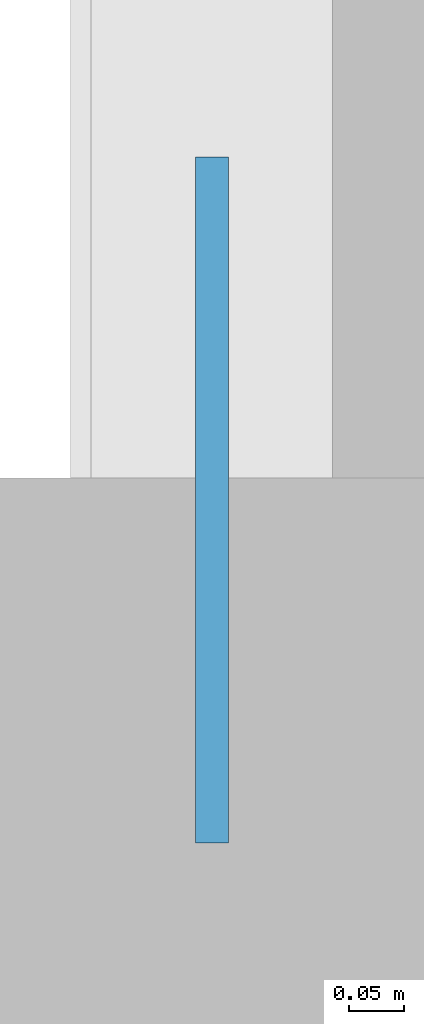
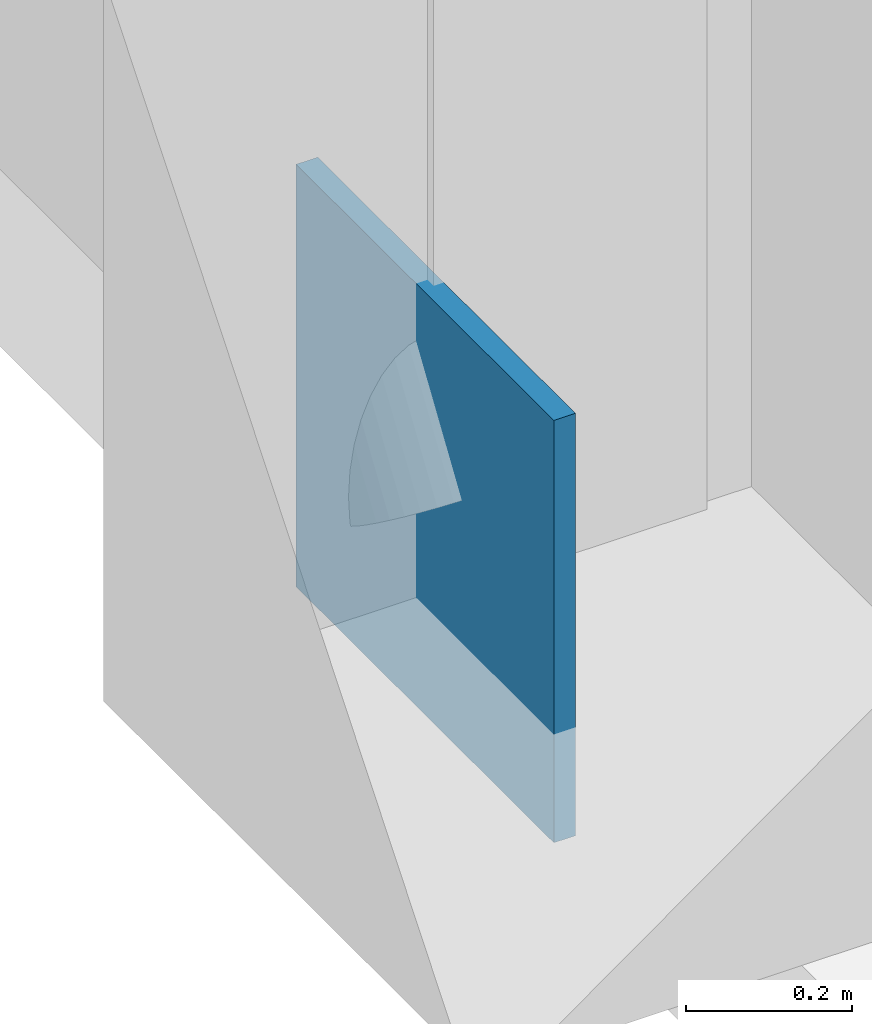
# One storey, part 115 of 139: 1 plate.
"""IFC4 building model written with IfcOpenShell, lengths in metres."""

from ifc_helpers import new_model, si_unit, direction, frame, origin, origin_2d, place, context, subcontext, project, spatial, rectangle, extrude, material, layer, layer_set, type_object, element, save


model = new_model("IFC4")

# Units and contexts
model_context = context("Model", 3, precision=1e-05, world=origin(), true_north=direction((0.0, 1.0)))
body_context = subcontext(model_context, "Body", "Model", "MODEL_VIEW")
ifc_project = project(units=[si_unit("LENGTHUNIT", "METRE"), si_unit("AREAUNIT", "SQUARE_METRE"), si_unit("VOLUMEUNIT", "CUBIC_METRE"), si_unit("PLANEANGLEUNIT", "RADIAN"), si_unit("MASSUNIT", "GRAM", prefix="KILO")], contexts=[model_context])

# Site, building, storey
site_placement = place(None, origin())
site = spatial("IfcSite", under=ifc_project, at=site_placement, CompositionType="ELEMENT")
building_placement = place(site_placement, origin())
building = spatial("IfcBuilding", under=site, at=building_placement, Name="Xicomal Pleat Aquarium", CompositionType="ELEMENT")
storey_placement = place(building_placement, origin())
storey = spatial("IfcBuildingStorey", under=building, at=storey_placement, Name="L01", CompositionType="ELEMENT", Elevation=0.0)

# Plate
ifc_material = material(Name="Structural steel A992 Gr 50", Category="steel")
ifc_layer = layer(ifc_material, 0.030029296875)
ifc_layer_set = layer_set([ifc_layer], Name="Structural steel A992 Gr 50")
plate_type = type_object("IfcPlateType", Name="PLT-CAP-30", PredefinedType="SHEET", material=ifc_layer_set)
plate_placement = place(storey_placement, frame((3.0, 53.6298828125, -0.16015625), z_axis=(0.0, 0.0, 1.0), x_axis=(0.0, 1.0, 0.0)))
element("IfcPlate", 1, at=plate_placement, inside=storey, type_object=plate_type, Name="L01 HSS end cap plate 7", PredefinedType="SHEET", context=body_context, shape_type="SweptSolid", body=[
    extrude(rectangle(XDim=0.6201171875, YDim=0.030029296875, at=origin_2d()), origin(), (0.0, 0.0, 1.0), 0.6201171875),
])

save(model, "model.ifc")
